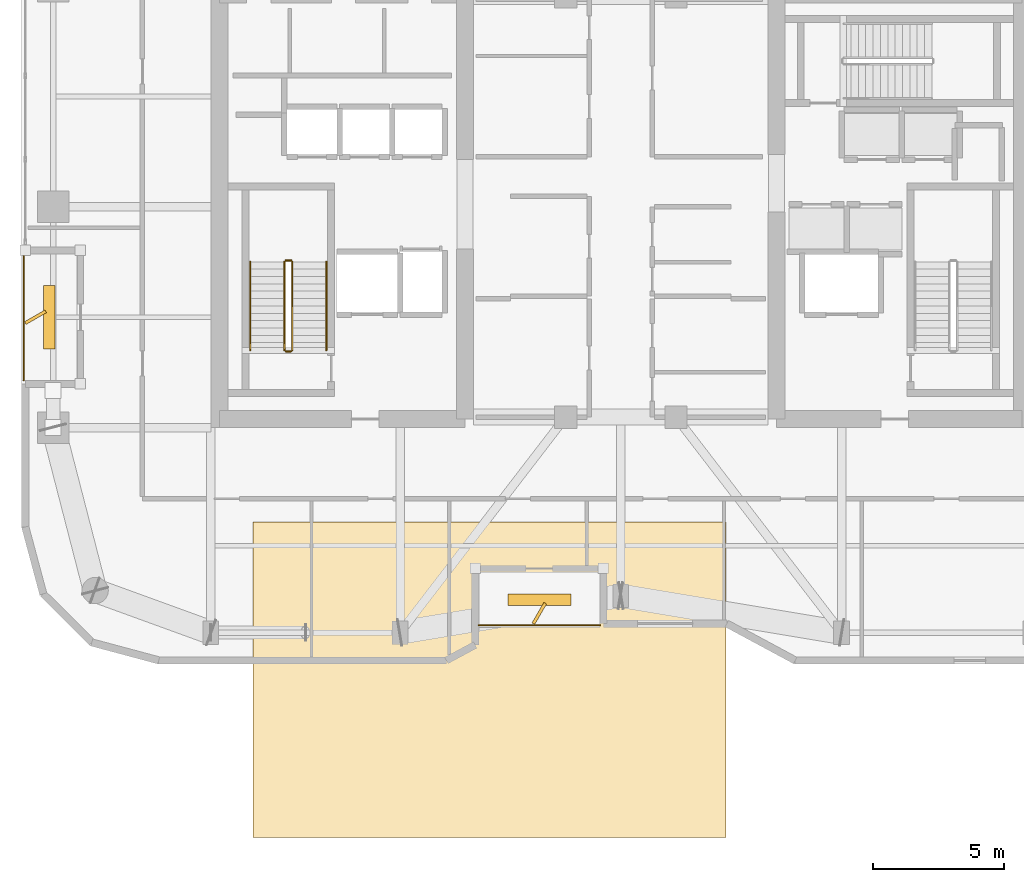
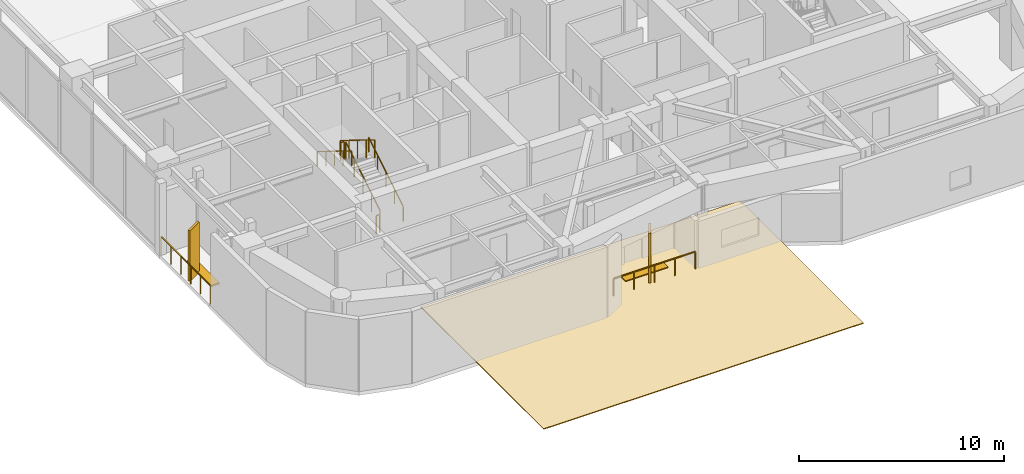
# One storey, part 15 of 18: 8 railings, 4 shading devices, 1 covering.
"""IFC4 building model written with IfcOpenShell, lengths in metres."""

from ifc_helpers import new_model, si_unit, direction, frame, origin, origin_2d, place, context, subcontext, project, spatial, polyline, rectangle, outline, extrude, material, layer, layer_set, type_object, element, save


model = new_model("IFC4")

# Units and contexts
model_context = context("Model", 3, precision=1e-05, world=origin(), true_north=direction((0.0, 1.0)))
body_context = subcontext(model_context, "Body", "Model", "MODEL_VIEW")
ifc_project = project(units=[si_unit("LENGTHUNIT", "METRE"), si_unit("AREAUNIT", "SQUARE_METRE"), si_unit("VOLUMEUNIT", "CUBIC_METRE"), si_unit("PLANEANGLEUNIT", "RADIAN"), si_unit("MASSUNIT", "GRAM", prefix="KILO")], contexts=[model_context])

# Site, building, storey
site_placement = place(None, origin())
site = spatial("IfcSite", under=ifc_project, at=site_placement, CompositionType="ELEMENT")
building_placement = place(site_placement, origin())
building = spatial("IfcBuilding", under=site, at=building_placement, Name="Kiyonajd Concourse Tower", CompositionType="ELEMENT")
storey_placement = place(building_placement, frame((0.0, 0.0, 214.800048828125)))
storey = spatial("IfcBuildingStorey", under=building, at=storey_placement, Name="L54", CompositionType="ELEMENT", Elevation=214.800048828125)

# Covering
ifc_material_1 = material(Name="Riyadh Jubaila Limestone", Category="masonry")
ifc_layer = layer(ifc_material_1, 0.050048828125)
ifc_layer_set = layer_set([ifc_layer], Name="Riyadh Jubaila Limestone")
covering_type = type_object("IfcCoveringType", Name="CV-FLR-RAISED", PredefinedType="FLOORING", material=ifc_layer_set)
covering_placement = place(storey_placement, origin())
element("IfcCovering", 1, at=covering_placement, inside=storey, type_object=covering_type, Name="L54 Limestone Floor Finish", PredefinedType="FLOORING", context=body_context, shape_type="SweptSolid", body=[
    extrude(outline(polyline([(34.0, 12.0), (52.0, 12.0), (52.0, 24.0), (34.0, 24.0), (34.0, 12.0)])), origin(), (0.0, 0.0, 1.0), 0.050048828125),
])

# Railings
ifc_material_2 = material(Name="Thermally Broken Anodised Aluminium", Category="aluminium")
railing_type_1 = type_object("IfcRailingType", Name="RL-GRD-LOG", PredefinedType="GUARDRAIL", material=ifc_material_2)
railing_1_placement = place(storey_placement, frame((42.60009765625, 20.080078125, 0.0)))
element("IfcRailing", 2, at=railing_1_placement, inside=storey, type_object=railing_type_1, Name="L54 Engawa Loggia Perimeter Guard LOG-S", PredefinedType="GUARDRAIL", context=body_context, shape_type="SweptSolid", body=[
    extrude(rectangle(XDim=0.048095703125, YDim=0.048095703125, at=origin_2d()), frame((0.0, 0.0, 1.076171875), z_axis=(1.0, 0.0, 0.0), x_axis=(0.0, 1.0, 0.0)), (0.0, 0.0, 1.0), 4.599853515625),
    extrude(rectangle(XDim=0.0419921875, YDim=0.0419921875, at=origin_2d()), origin(), (0.0, 0.0, 1.0), 1.052001953125),
    extrude(rectangle(XDim=0.0419921875, YDim=0.0419921875, at=origin_2d()), frame((1.14990234375, 0.0, 0.0)), (0.0, 0.0, 1.0), 1.052001953125),
    extrude(rectangle(XDim=0.0419921875, YDim=0.0419921875, at=origin_2d()), frame((2.2998046875, 0.0, 0.0)), (0.0, 0.0, 1.0), 1.052001953125),
    extrude(rectangle(XDim=0.0419921875, YDim=0.0419921875, at=origin_2d()), frame((3.449951171875, 0.0, 0.0)), (0.0, 0.0, 1.0), 1.052001953125),
    extrude(rectangle(XDim=0.0419921875, YDim=0.0419921875, at=origin_2d()), frame((4.599853515625, 0.0, 0.0)), (0.0, 0.0, 1.0), 1.052001953125),
])
railing_2_placement = place(storey_placement, frame((25.280029296875, 34.199951171875, 0.0)))
element("IfcRailing", 3, at=railing_2_placement, inside=storey, type_object=railing_type_1, Name="L54 Engawa Loggia Perimeter Guard LOG-W", PredefinedType="GUARDRAIL", context=body_context, shape_type="SweptSolid", body=[
    extrude(rectangle(XDim=0.048095703125, YDim=0.048095703125, at=origin_2d()), frame((0.0, 0.0, 1.076171875), z_axis=(0.0, -1.0, 0.0), x_axis=(1.0, 0.0, 0.0)), (0.0, 0.0, 1.0), 4.800048828125),
    extrude(rectangle(XDim=0.0419921875, YDim=0.0419921875, at=origin_2d()), origin(), (0.0, 0.0, 1.0), 1.052001953125),
    extrude(rectangle(XDim=0.0419921875, YDim=0.0419921875, at=origin_2d()), frame((0.0, -0.9599609375, 0.0)), (0.0, 0.0, 1.0), 1.052001953125),
    extrude(rectangle(XDim=0.0419921875, YDim=0.0419921875, at=origin_2d()), frame((0.0, -1.919921875, 0.0)), (0.0, 0.0, 1.0), 1.052001953125),
    extrude(rectangle(XDim=0.0419921875, YDim=0.0419921875, at=origin_2d()), frame((0.0, -2.880126953125, 0.0)), (0.0, 0.0, 1.0), 1.052001953125),
    extrude(rectangle(XDim=0.0419921875, YDim=0.0419921875, at=origin_2d()), frame((0.0, -3.840087890625, 0.0)), (0.0, 0.0, 1.0), 1.052001953125),
    extrude(rectangle(XDim=0.0419921875, YDim=0.0419921875, at=origin_2d()), frame((0.0, -4.800048828125, 0.0)), (0.0, 0.0, 1.0), 1.052001953125),
])
ifc_material_3 = material(Name="Steel ASTM A500 Grade C", Category="steel")
railing_type_2 = type_object("IfcRailingType", Name="RL-GRD-STR", PredefinedType="GUARDRAIL", material=ifc_material_3)
railing_3_placement = place(storey_placement, frame((35.5, 30.550048828125, 0.173095703125)))
element("IfcRailing", 4, at=railing_3_placement, inside=storey, type_object=railing_type_2, Name="L54 ST1 stair guard 1", PredefinedType="GUARDRAIL", context=body_context, shape_type="SweptSolid", body=[
    extrude(rectangle(XDim=0.048095703125, YDim=0.048095703125, at=origin_2d()), frame((0.0, 0.0, 1.076171875), z_axis=(0.0, 0.850606129759, 0.525803396734), x_axis=(-1.0, 0.0, 0.0)), (0.0, 0.0, 1.0), 3.949951171875),
    extrude(rectangle(XDim=0.0419921875, YDim=0.0419921875, at=origin_2d()), origin(), (0.0, 0.0, 1.0), 1.052001953125),
    extrude(rectangle(XDim=0.0419921875, YDim=0.0419921875, at=origin_2d()), frame((0.0, 0.83984375, 0.519287109375)), (0.0, 0.0, 1.0), 1.052001953125),
    extrude(rectangle(XDim=0.0419921875, YDim=0.0419921875, at=origin_2d()), frame((0.0, 1.679931640625, 1.03857421875)), (0.0, 0.0, 1.0), 1.052001953125),
    extrude(rectangle(XDim=0.0419921875, YDim=0.0419921875, at=origin_2d()), frame((0.0, 2.52001953125, 1.5576171875)), (0.0, 0.0, 1.0), 1.052001953125),
    extrude(rectangle(XDim=0.0419921875, YDim=0.0419921875, at=origin_2d()), frame((0.0, 3.35986328125, 2.076904296875)), (0.0, 0.0, 1.0), 1.052001953125),
])
railing_4_placement = place(storey_placement, frame((35.449951171875, 33.9599609375, 2.25)))
element("IfcRailing", 5, at=railing_4_placement, inside=storey, type_object=railing_type_2, Name="L54 ST1 stair guard 2", PredefinedType="GUARDRAIL", context=body_context, shape_type="SweptSolid", body=[
    extrude(rectangle(XDim=0.048095703125, YDim=0.048095703125, at=origin_2d()), frame((0.0, 0.0, 1.076171875), z_axis=(-1.0, 0.0, 0.0), x_axis=(0.0, -1.0, 0.0)), (0.0, 0.0, 1.0), 0.199951171875),
    extrude(rectangle(XDim=0.0419921875, YDim=0.0419921875, at=origin_2d()), origin(), (0.0, 0.0, 1.0), 1.052001953125),
    extrude(rectangle(XDim=0.0419921875, YDim=0.0419921875, at=origin_2d()), frame((-0.199951171875, 0.0, 0.0)), (0.0, 0.0, 1.0), 1.052001953125),
])
railing_5_placement = place(storey_placement, frame((35.199951171875, 33.909912109375, 2.423095703125)))
element("IfcRailing", 6, at=railing_5_placement, inside=storey, type_object=railing_type_2, Name="L54 ST1 stair guard 3", PredefinedType="GUARDRAIL", context=body_context, shape_type="SweptSolid", body=[
    extrude(rectangle(XDim=0.048095703125, YDim=0.048095703125, at=origin_2d()), frame((0.0, 0.0, 1.076171875), z_axis=(0.0, -0.850606129759, 0.525803396734), x_axis=(1.0, 0.0, 0.0)), (0.0, 0.0, 1.0), 3.949951171875),
    extrude(rectangle(XDim=0.0419921875, YDim=0.0419921875, at=origin_2d()), origin(), (0.0, 0.0, 1.0), 1.052001953125),
    extrude(rectangle(XDim=0.0419921875, YDim=0.0419921875, at=origin_2d()), frame((0.0, -0.83984375, 0.519287109375)), (0.0, 0.0, 1.0), 1.052001953125),
    extrude(rectangle(XDim=0.0419921875, YDim=0.0419921875, at=origin_2d()), frame((0.0, -1.679931640625, 1.03857421875)), (0.0, 0.0, 1.0), 1.052001953125),
    extrude(rectangle(XDim=0.0419921875, YDim=0.0419921875, at=origin_2d()), frame((0.0, -2.52001953125, 1.5576171875)), (0.0, 0.0, 1.0), 1.052001953125),
    extrude(rectangle(XDim=0.0419921875, YDim=0.0419921875, at=origin_2d()), frame((0.0, -3.35986328125, 2.076904296875)), (0.0, 0.0, 1.0), 1.052001953125),
])
railing_6_placement = place(storey_placement, frame((35.449951171875, 30.5, 0.0)))
element("IfcRailing", 7, at=railing_6_placement, inside=storey, type_object=railing_type_2, Name="L54 ST1 stair guard 4", PredefinedType="GUARDRAIL", context=body_context, shape_type="SweptSolid", body=[
    extrude(rectangle(XDim=0.048095703125, YDim=0.048095703125, at=origin_2d()), frame((0.0, 0.0, 1.076171875), z_axis=(-1.0, 0.0, 0.0), x_axis=(0.0, -1.0, 0.0)), (0.0, 0.0, 1.0), 0.199951171875),
    extrude(rectangle(XDim=0.0419921875, YDim=0.0419921875, at=origin_2d()), origin(), (0.0, 0.0, 1.0), 1.052001953125),
    extrude(rectangle(XDim=0.0419921875, YDim=0.0419921875, at=origin_2d()), frame((-0.199951171875, 0.0, 0.0)), (0.0, 0.0, 1.0), 1.052001953125),
])
ifc_material_4 = material(Name="Brushed Stainless Steel Cab Assembly", Category="steel")
railing_type_3 = type_object("IfcRailingType", Name="RL-HND-900", PredefinedType="HANDRAIL", material=ifc_material_4)
railing_7_placement = place(storey_placement, frame((36.800048828125, 30.550048828125, 0.173095703125)))
element("IfcRailing", 8, at=railing_7_placement, inside=storey, type_object=railing_type_3, Name="L54 ST1 stair handrail 1", PredefinedType="HANDRAIL", context=body_context, shape_type="SweptSolid", body=[
    extrude(rectangle(XDim=0.048095703125, YDim=0.048095703125, at=origin_2d()), frame((0.0, 0.0, 0.8759765625), z_axis=(0.0, 0.850606129759, 0.525803396734), x_axis=(-1.0, 0.0, 0.0)), (0.0, 0.0, 1.0), 3.949951171875),
    extrude(rectangle(XDim=0.0419921875, YDim=0.0419921875, at=origin_2d()), origin(), (0.0, 0.0, 1.0), 0.851806640625),
    extrude(rectangle(XDim=0.0419921875, YDim=0.0419921875, at=origin_2d()), frame((0.0, 0.83984375, 0.519287109375)), (0.0, 0.0, 1.0), 0.851806640625),
    extrude(rectangle(XDim=0.0419921875, YDim=0.0419921875, at=origin_2d()), frame((0.0, 1.679931640625, 1.03857421875)), (0.0, 0.0, 1.0), 0.851806640625),
    extrude(rectangle(XDim=0.0419921875, YDim=0.0419921875, at=origin_2d()), frame((0.0, 2.52001953125, 1.5576171875)), (0.0, 0.0, 1.0), 0.851806640625),
    extrude(rectangle(XDim=0.0419921875, YDim=0.0419921875, at=origin_2d()), frame((0.0, 3.35986328125, 2.076904296875)), (0.0, 0.0, 1.0), 0.851806640625),
])
railing_8_placement = place(storey_placement, frame((33.89990234375, 33.909912109375, 2.423095703125)))
element("IfcRailing", 9, at=railing_8_placement, inside=storey, type_object=railing_type_3, Name="L54 ST1 stair handrail 2", PredefinedType="HANDRAIL", context=body_context, shape_type="SweptSolid", body=[
    extrude(rectangle(XDim=0.048095703125, YDim=0.048095703125, at=origin_2d()), frame((0.0, 0.0, 0.8759765625), z_axis=(0.0, -0.850606129759, 0.525803396734), x_axis=(1.0, 0.0, 0.0)), (0.0, 0.0, 1.0), 3.949951171875),
    extrude(rectangle(XDim=0.0419921875, YDim=0.0419921875, at=origin_2d()), origin(), (0.0, 0.0, 1.0), 0.851806640625),
    extrude(rectangle(XDim=0.0419921875, YDim=0.0419921875, at=origin_2d()), frame((0.0, -0.83984375, 0.519287109375)), (0.0, 0.0, 1.0), 0.851806640625),
    extrude(rectangle(XDim=0.0419921875, YDim=0.0419921875, at=origin_2d()), frame((0.0, -1.679931640625, 1.03857421875)), (0.0, 0.0, 1.0), 0.851806640625),
    extrude(rectangle(XDim=0.0419921875, YDim=0.0419921875, at=origin_2d()), frame((0.0, -2.52001953125, 1.5576171875)), (0.0, 0.0, 1.0), 0.851806640625),
    extrude(rectangle(XDim=0.0419921875, YDim=0.0419921875, at=origin_2d()), frame((0.0, -3.35986328125, 2.076904296875)), (0.0, 0.0, 1.0), 0.851806640625),
])

# Shading devices
ifc_material_5 = material(Name="Precast concrete C50/60", Category="concrete")
shading_device_type_1 = type_object("IfcShadingDeviceType", Name="SH-FIN-900", PredefinedType="USERDEFINED", material=ifc_material_5)
for number, where, z_axis, x_axis, name in (
    (10, (44.89990234375, 20.530029296875, 0.0), (0.0, 0.0, 1.0), (0.5, 0.866025403784, 0.0), "L54 Angled Koshi Solar Fin LOG-S"),
    (11, (25.72998046875, 31.800048828125, 0.0), (0.0, 0.0, 1.0), (0.866025403784, 0.5, 0.0), "L54 Angled Koshi Solar Fin LOG-W"),
):
    element("IfcShadingDevice", number, at=place(storey_placement, frame(where, z_axis=z_axis, x_axis=x_axis)), inside=storey, type_object=shading_device_type_1, Name=name, ObjectType="FIN", PredefinedType="USERDEFINED", context=body_context, shape_type="SweptSolid", body=[
        extrude(rectangle(XDim=0.89990234375, YDim=0.1201171875, at=origin_2d()), origin(), (0.0, 0.0, 1.0), 3.0),
    ])
shading_device_type_2 = type_object("IfcShadingDeviceType", Name="SH-LVR-600", PredefinedType="JALOUSIE", material=ifc_material_2)
for number, where, z_axis, x_axis, name in (
    (12, (44.89990234375, 21.050048828125, 0.0), (0.0, 0.0, 1.0), (1.0, 0.0, 0.0), "L54 Loggia Threshold Louver LOG-S"),
    (13, (26.25, 31.800048828125, 0.0), (0.0, 0.0, 1.0), (0.0, 1.0, 0.0), "L54 Loggia Threshold Louver LOG-W"),
):
    element("IfcShadingDevice", number, at=place(storey_placement, frame(where, z_axis=z_axis, x_axis=x_axis)), inside=storey, type_object=shading_device_type_2, Name=name, PredefinedType="JALOUSIE", context=body_context, shape_type="SweptSolid", body=[
        extrude(rectangle(XDim=2.39990234375, YDim=0.449951171875, at=origin_2d()), origin(), (0.0, 0.0, 1.0), 0.10009765625),
    ])

save(model, "model.ifc")
